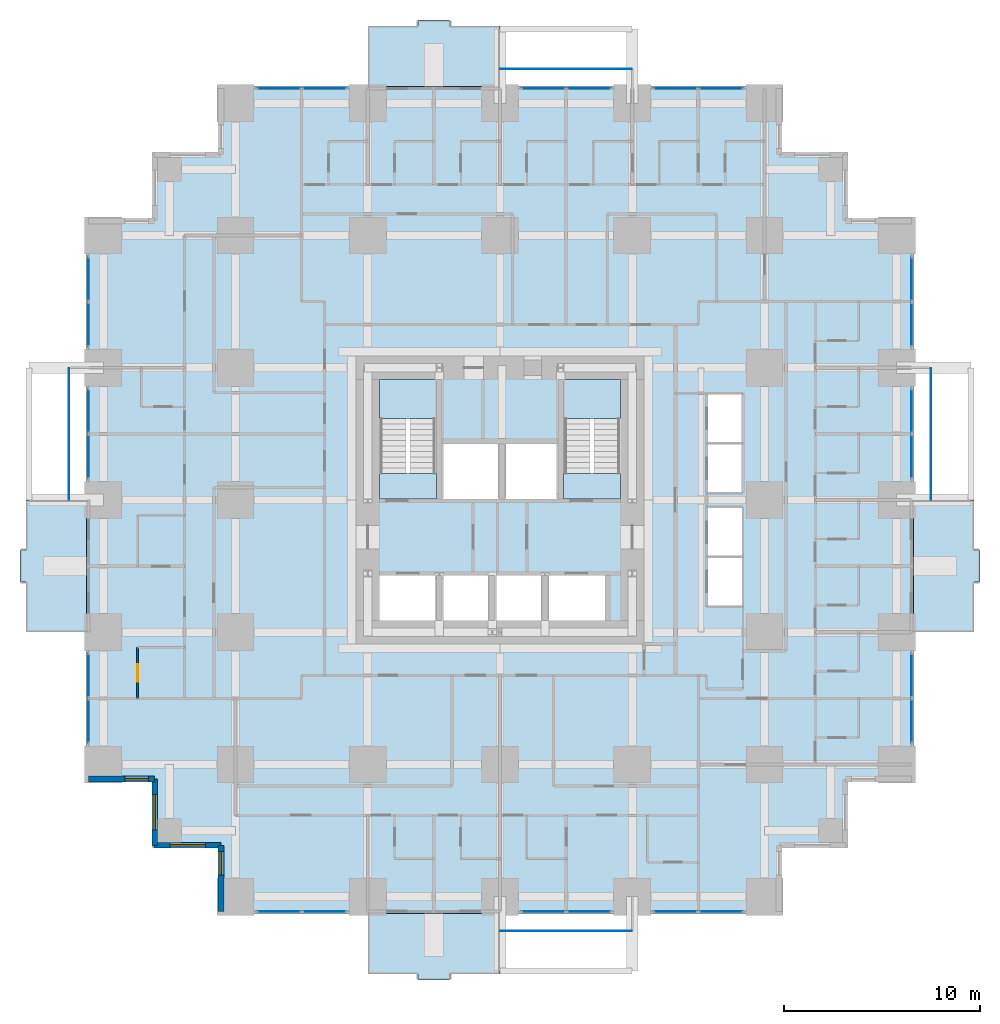
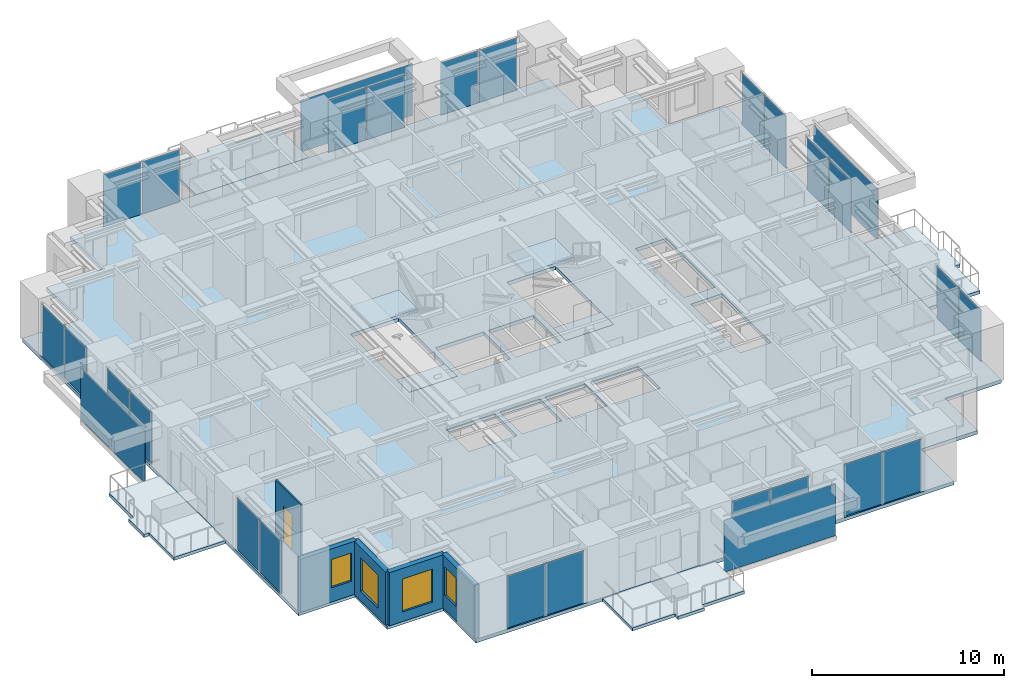
# One storey, part 7 of 15: 28 plates, 9 slabs, 5 walls, 4 windows, 1 door, 5 openings, 14 elements without a shape of their own.
"""IFC4 building model written with IfcOpenShell, lengths in metres."""

from ifc_helpers import new_model, si_unit, direction, frame, frame_2d, origin, origin_2d, place, context, subcontext, project, spatial, polyline, rectangle, outline, extrude, material, layer, layer_set, type_object, element, fill, aggregate, save


model = new_model("IFC4")

# Units and contexts
model_context = context("Model", 3, precision=1e-05, world=origin(), true_north=direction((0.0, 1.0)))
body_context = subcontext(model_context, "Body", "Model", "MODEL_VIEW")
ifc_project = project(units=[si_unit("LENGTHUNIT", "METRE"), si_unit("AREAUNIT", "SQUARE_METRE"), si_unit("VOLUMEUNIT", "CUBIC_METRE"), si_unit("PLANEANGLEUNIT", "RADIAN"), si_unit("MASSUNIT", "GRAM", prefix="KILO")], contexts=[model_context])

# Site, building, storey
site_placement = place(None, origin())
site = spatial("IfcSite", under=ifc_project, at=site_placement, CompositionType="ELEMENT")
building_placement = place(site_placement, origin())
building = spatial("IfcBuilding", under=site, at=building_placement, Name="Nyansa Garden Tower", CompositionType="ELEMENT")
storey_placement = place(building_placement, frame((0.0, 0.0, 32.39990234375)))
storey = spatial("IfcBuildingStorey", under=building, at=storey_placement, Name="L08", CompositionType="ELEMENT", Elevation=32.39990234375)

# Slabs
ifc_material_1 = material(Name="Concrete C40/50", Category="concrete")
ifc_layer_1 = layer(ifc_material_1, 0.199951171875)
ifc_layer_set_1 = layer_set([ifc_layer_1], Name="Balcony slab BS200")
slab_type_1 = type_object("IfcSlabType", Name="Balcony slab BS200", PredefinedType="FLOOR", material=ifc_layer_set_1)
slab_1_placement = place(storey_placement, frame((0.0, 0.0, -0.239990234375)))
element("IfcSlab", 1, at=slab_1_placement, inside=storey, type_object=slab_type_1, Name="Balcony L08 S", PredefinedType="FLOOR", context=body_context, shape_type="SweptSolid", body=[
    extrude(outline(polyline([(13.5, -0.85009765625), (20.25, -0.85009765625), (20.25, -3.949951171875), (17.675048828125, -3.949951171875), (17.675048828125, -4.25), (16.074951171875, -4.25), (16.074951171875, -3.949951171875), (13.5, -3.949951171875), (13.5, -0.85009765625)])), origin(), (0.0, 0.0, 1.0), 0.2001953125),
])
slab_2_placement = place(storey_placement, frame((0.0, 0.0, -0.239990234375)))
element("IfcSlab", 2, at=slab_2_placement, inside=storey, type_object=slab_type_1, Name="Balcony L08 E", PredefinedType="FLOOR", context=body_context, shape_type="SweptSolid", body=[
    extrude(outline(polyline([(41.35009765625, 13.5), (41.35009765625, 20.25), (44.449951171875, 20.25), (44.449951171875, 17.675048828125), (44.75, 17.675048828125), (44.75, 16.074951171875), (44.449951171875, 16.074951171875), (44.449951171875, 13.5), (41.35009765625, 13.5)])), origin(), (0.0, 0.0, 1.0), 0.2001953125),
])
slab_3_placement = place(storey_placement, frame((0.0, 0.0, -0.239990234375)))
element("IfcSlab", 3, at=slab_3_placement, inside=storey, type_object=slab_type_1, Name="Balcony L08 N", PredefinedType="FLOOR", context=body_context, shape_type="SweptSolid", body=[
    extrude(outline(polyline([(13.5, 41.35009765625), (20.25, 41.35009765625), (20.25, 44.449951171875), (17.675048828125, 44.449951171875), (17.675048828125, 44.75), (16.074951171875, 44.75), (16.074951171875, 44.449951171875), (13.5, 44.449951171875), (13.5, 41.35009765625)])), origin(), (0.0, 0.0, 1.0), 0.2001953125),
])
slab_4_placement = place(storey_placement, frame((0.0, 0.0, -0.239990234375)))
element("IfcSlab", 4, at=slab_4_placement, inside=storey, type_object=slab_type_1, Name="Balcony L08 W", PredefinedType="FLOOR", context=body_context, shape_type="SweptSolid", body=[
    extrude(outline(polyline([(-0.85009765625, 13.5), (-0.85009765625, 20.25), (-3.949951171875, 20.25), (-3.949951171875, 17.675048828125), (-4.25, 17.675048828125), (-4.25, 16.074951171875), (-3.949951171875, 16.074951171875), (-3.949951171875, 13.5), (-0.85009765625, 13.5)])), origin(), (0.0, 0.0, 1.0), 0.2001953125),
])

# Curtain wall, plates
ifc_material_2 = material(Name="Black anodised aluminium, dark tinted double glazing", Category="aluminium")
curtain_wall_type = type_object("IfcCurtainWallType", Name="Inner skin curtain wall ISW-A", PredefinedType="USERDEFINED", material=ifc_material_2)
curtain_wall_1_placement = place(storey_placement, origin())
curtain_wall_1 = element("IfcCurtainWall", 5, at=curtain_wall_1_placement, inside=storey, type_object=curtain_wall_type, Name="Inner skin curtain wall L08 E", ObjectType="UNITISED CURTAIN WALL", PredefinedType="USERDEFINED")
ifc_material_3 = material(Name="Dark tinted laminated double glazing", Category="glass")
ifc_layer_2 = layer(ifc_material_3, 0.031982421875)
ifc_layer_set_2 = layer_set([ifc_layer_2], Name="Dark tinted vision panel VP-A")
plate_type_1 = type_object("IfcPlateType", Name="Dark tinted vision panel VP-A", PredefinedType="CURTAIN_PANEL", material=ifc_layer_set_2)
plate_1_placement = place(storey_placement, frame((41.25, 8.96240234375, 0.0), z_axis=(0.0, 0.0, 1.0), x_axis=(0.0, 1.0, 0.0)))
plate_1 = element("IfcPlate", 6, at=plate_1_placement, type_object=plate_type_1, Name="ISW-A panel 1", PredefinedType="CURTAIN_PANEL", context=body_context, shape_type="SweptSolid", body=[
    extrude(rectangle(XDim=2.260009765625, YDim=0.031982421875, at=origin_2d()), origin(), (0.0, 0.0, 1.0), 3.31005859375),
])
plate_2_placement = place(storey_placement, frame((41.25, 11.28759765625, 0.0), z_axis=(0.0, 0.0, 1.0), x_axis=(0.0, 1.0, 0.0)))
plate_2 = element("IfcPlate", 7, at=plate_2_placement, type_object=plate_type_1, Name="ISW-A panel 2", PredefinedType="CURTAIN_PANEL", context=body_context, shape_type="SweptSolid", body=[
    extrude(rectangle(XDim=2.260009765625, YDim=0.031982421875, at=origin_2d()), origin(), (0.0, 0.0, 1.0), 3.31005859375),
])
aggregate(curtain_wall_1, [plate_1, plate_2])

curtain_wall_2_placement = place(storey_placement, origin())
curtain_wall_2 = element("IfcCurtainWall", 8, at=curtain_wall_2_placement, inside=storey, type_object=curtain_wall_type, Name="Inner skin curtain wall L08 E", ObjectType="UNITISED CURTAIN WALL", PredefinedType="USERDEFINED")
plate_3_placement = place(storey_placement, frame((41.25, 22.46240234375, 0.0), z_axis=(0.0, 0.0, 1.0), x_axis=(0.0, 1.0, 0.0)))
plate_3 = element("IfcPlate", 9, at=plate_3_placement, type_object=plate_type_1, Name="ISW-A panel 1", PredefinedType="CURTAIN_PANEL", context=body_context, shape_type="SweptSolid", body=[
    extrude(rectangle(XDim=2.260009765625, YDim=0.031982421875, at=origin_2d()), origin(), (0.0, 0.0, 1.0), 3.31005859375),
])
plate_4_placement = place(storey_placement, frame((41.25, 24.78759765625, 0.0), z_axis=(0.0, 0.0, 1.0), x_axis=(0.0, 1.0, 0.0)))
plate_4 = element("IfcPlate", 10, at=plate_4_placement, type_object=plate_type_1, Name="ISW-A panel 2", PredefinedType="CURTAIN_PANEL", context=body_context, shape_type="SweptSolid", body=[
    extrude(rectangle(XDim=2.260009765625, YDim=0.031982421875, at=origin_2d()), origin(), (0.0, 0.0, 1.0), 3.31005859375),
])
aggregate(curtain_wall_2, [plate_3, plate_4])

curtain_wall_3_placement = place(storey_placement, origin())
curtain_wall_3 = element("IfcCurtainWall", 11, at=curtain_wall_3_placement, inside=storey, type_object=curtain_wall_type, Name="Inner skin curtain wall L08 E", ObjectType="UNITISED CURTAIN WALL", PredefinedType="USERDEFINED")
plate_5_placement = place(storey_placement, frame((41.25, 29.21240234375, 0.0), z_axis=(0.0, 0.0, 1.0), x_axis=(0.0, 1.0, 0.0)))
plate_5 = element("IfcPlate", 12, at=plate_5_placement, type_object=plate_type_1, Name="ISW-A panel 1", PredefinedType="CURTAIN_PANEL", context=body_context, shape_type="SweptSolid", body=[
    extrude(rectangle(XDim=2.260009765625, YDim=0.031982421875, at=origin_2d()), origin(), (0.0, 0.0, 1.0), 3.31005859375),
])
plate_6_placement = place(storey_placement, frame((41.25, 31.53759765625, 0.0), z_axis=(0.0, 0.0, 1.0), x_axis=(0.0, 1.0, 0.0)))
plate_6 = element("IfcPlate", 13, at=plate_6_placement, type_object=plate_type_1, Name="ISW-A panel 2", PredefinedType="CURTAIN_PANEL", context=body_context, shape_type="SweptSolid", body=[
    extrude(rectangle(XDim=2.260009765625, YDim=0.031982421875, at=origin_2d()), origin(), (0.0, 0.0, 1.0), 3.31005859375),
])
aggregate(curtain_wall_3, [plate_5, plate_6])

curtain_wall_4_placement = place(storey_placement, origin())
curtain_wall_4 = element("IfcCurtainWall", 14, at=curtain_wall_4_placement, inside=storey, type_object=curtain_wall_type, Name="Inner skin curtain wall L08 N", ObjectType="UNITISED CURTAIN WALL", PredefinedType="USERDEFINED")
plate_7_placement = place(storey_placement, frame((11.28759765625, 41.25, 0.0), z_axis=(0.0, 0.0, 1.0), x_axis=(-1.0, 0.0, 0.0)))
plate_7 = element("IfcPlate", 15, at=plate_7_placement, type_object=plate_type_1, Name="ISW-A panel 1", PredefinedType="CURTAIN_PANEL", context=body_context, shape_type="SweptSolid", body=[
    extrude(rectangle(XDim=2.260009765625, YDim=0.031982421875, at=origin_2d()), origin(), (0.0, 0.0, 1.0), 3.31005859375),
])
plate_8_placement = place(storey_placement, frame((8.96240234375, 41.25, 0.0), z_axis=(0.0, 0.0, 1.0), x_axis=(-1.0, 0.0, 0.0)))
plate_8 = element("IfcPlate", 16, at=plate_8_placement, type_object=plate_type_1, Name="ISW-A panel 2", PredefinedType="CURTAIN_PANEL", context=body_context, shape_type="SweptSolid", body=[
    extrude(rectangle(XDim=2.260009765625, YDim=0.031982421875, at=origin_2d()), origin(), (0.0, 0.0, 1.0), 3.31005859375),
])
aggregate(curtain_wall_4, [plate_7, plate_8])

curtain_wall_5_placement = place(storey_placement, origin())
curtain_wall_5 = element("IfcCurtainWall", 17, at=curtain_wall_5_placement, inside=storey, type_object=curtain_wall_type, Name="Inner skin curtain wall L08 N", ObjectType="UNITISED CURTAIN WALL", PredefinedType="USERDEFINED")
plate_9_placement = place(storey_placement, frame((31.53759765625, 41.25, 0.0), z_axis=(0.0, 0.0, 1.0), x_axis=(-1.0, 0.0, 0.0)))
plate_9 = element("IfcPlate", 18, at=plate_9_placement, type_object=plate_type_1, Name="ISW-A panel 1", PredefinedType="CURTAIN_PANEL", context=body_context, shape_type="SweptSolid", body=[
    extrude(rectangle(XDim=2.260009765625, YDim=0.031982421875, at=origin_2d()), origin(), (0.0, 0.0, 1.0), 3.31005859375),
])
plate_10_placement = place(storey_placement, frame((29.21240234375, 41.25, 0.0), z_axis=(0.0, 0.0, 1.0), x_axis=(-1.0, 0.0, 0.0)))
plate_10 = element("IfcPlate", 19, at=plate_10_placement, type_object=plate_type_1, Name="ISW-A panel 2", PredefinedType="CURTAIN_PANEL", context=body_context, shape_type="SweptSolid", body=[
    extrude(rectangle(XDim=2.260009765625, YDim=0.031982421875, at=origin_2d()), origin(), (0.0, 0.0, 1.0), 3.31005859375),
])
aggregate(curtain_wall_5, [plate_9, plate_10])

curtain_wall_6_placement = place(storey_placement, origin())
curtain_wall_6 = element("IfcCurtainWall", 20, at=curtain_wall_6_placement, inside=storey, type_object=curtain_wall_type, Name="Inner skin curtain wall L08 N", ObjectType="UNITISED CURTAIN WALL", PredefinedType="USERDEFINED")
plate_11_placement = place(storey_placement, frame((24.78759765625, 41.25, 0.0), z_axis=(0.0, 0.0, 1.0), x_axis=(-1.0, 0.0, 0.0)))
plate_11 = element("IfcPlate", 21, at=plate_11_placement, type_object=plate_type_1, Name="ISW-A panel 1", PredefinedType="CURTAIN_PANEL", context=body_context, shape_type="SweptSolid", body=[
    extrude(rectangle(XDim=2.260009765625, YDim=0.031982421875, at=origin_2d()), origin(), (0.0, 0.0, 1.0), 3.31005859375),
])
plate_12_placement = place(storey_placement, frame((22.46240234375, 41.25, 0.0), z_axis=(0.0, 0.0, 1.0), x_axis=(-1.0, 0.0, 0.0)))
plate_12 = element("IfcPlate", 22, at=plate_12_placement, type_object=plate_type_1, Name="ISW-A panel 2", PredefinedType="CURTAIN_PANEL", context=body_context, shape_type="SweptSolid", body=[
    extrude(rectangle(XDim=2.260009765625, YDim=0.031982421875, at=origin_2d()), origin(), (0.0, 0.0, 1.0), 3.31005859375),
])
aggregate(curtain_wall_6, [plate_11, plate_12])

curtain_wall_7_placement = place(storey_placement, origin())
curtain_wall_7 = element("IfcCurtainWall", 23, at=curtain_wall_7_placement, inside=storey, type_object=curtain_wall_type, Name="Inner skin curtain wall L08 W", ObjectType="UNITISED CURTAIN WALL", PredefinedType="USERDEFINED")
plate_13_placement = place(storey_placement, frame((-0.75, 11.28759765625, 0.0), z_axis=(0.0, 0.0, 1.0), x_axis=(0.0, -1.0, 0.0)))
plate_13 = element("IfcPlate", 24, at=plate_13_placement, type_object=plate_type_1, Name="ISW-A panel 1", PredefinedType="CURTAIN_PANEL", context=body_context, shape_type="SweptSolid", body=[
    extrude(rectangle(XDim=2.260009765625, YDim=0.031982421875, at=origin_2d()), origin(), (0.0, 0.0, 1.0), 3.31005859375),
])
plate_14_placement = place(storey_placement, frame((-0.75, 8.96240234375, 0.0), z_axis=(0.0, 0.0, 1.0), x_axis=(0.0, -1.0, 0.0)))
plate_14 = element("IfcPlate", 25, at=plate_14_placement, type_object=plate_type_1, Name="ISW-A panel 2", PredefinedType="CURTAIN_PANEL", context=body_context, shape_type="SweptSolid", body=[
    extrude(rectangle(XDim=2.260009765625, YDim=0.031982421875, at=origin_2d()), origin(), (0.0, 0.0, 1.0), 3.31005859375),
])
aggregate(curtain_wall_7, [plate_13, plate_14])

curtain_wall_8_placement = place(storey_placement, origin())
curtain_wall_8 = element("IfcCurtainWall", 26, at=curtain_wall_8_placement, inside=storey, type_object=curtain_wall_type, Name="Inner skin curtain wall L08 W", ObjectType="UNITISED CURTAIN WALL", PredefinedType="USERDEFINED")
plate_15_placement = place(storey_placement, frame((-0.75, 31.53759765625, 0.0), z_axis=(0.0, 0.0, 1.0), x_axis=(0.0, -1.0, 0.0)))
plate_15 = element("IfcPlate", 27, at=plate_15_placement, type_object=plate_type_1, Name="ISW-A panel 1", PredefinedType="CURTAIN_PANEL", context=body_context, shape_type="SweptSolid", body=[
    extrude(rectangle(XDim=2.260009765625, YDim=0.031982421875, at=origin_2d()), origin(), (0.0, 0.0, 1.0), 3.31005859375),
])
plate_16_placement = place(storey_placement, frame((-0.75, 29.21240234375, 0.0), z_axis=(0.0, 0.0, 1.0), x_axis=(0.0, -1.0, 0.0)))
plate_16 = element("IfcPlate", 28, at=plate_16_placement, type_object=plate_type_1, Name="ISW-A panel 2", PredefinedType="CURTAIN_PANEL", context=body_context, shape_type="SweptSolid", body=[
    extrude(rectangle(XDim=2.260009765625, YDim=0.031982421875, at=origin_2d()), origin(), (0.0, 0.0, 1.0), 3.31005859375),
])
aggregate(curtain_wall_8, [plate_15, plate_16])

curtain_wall_9_placement = place(storey_placement, origin())
curtain_wall_9 = element("IfcCurtainWall", 29, at=curtain_wall_9_placement, inside=storey, type_object=curtain_wall_type, Name="Inner skin curtain wall L08 W", ObjectType="UNITISED CURTAIN WALL", PredefinedType="USERDEFINED")
plate_17_placement = place(storey_placement, frame((-0.75, 24.78759765625, 0.0), z_axis=(0.0, 0.0, 1.0), x_axis=(0.0, -1.0, 0.0)))
plate_17 = element("IfcPlate", 30, at=plate_17_placement, type_object=plate_type_1, Name="ISW-A panel 1", PredefinedType="CURTAIN_PANEL", context=body_context, shape_type="SweptSolid", body=[
    extrude(rectangle(XDim=2.260009765625, YDim=0.031982421875, at=origin_2d()), origin(), (0.0, 0.0, 1.0), 3.31005859375),
])
plate_18_placement = place(storey_placement, frame((-0.75, 22.46240234375, 0.0), z_axis=(0.0, 0.0, 1.0), x_axis=(0.0, -1.0, 0.0)))
plate_18 = element("IfcPlate", 31, at=plate_18_placement, type_object=plate_type_1, Name="ISW-A panel 2", PredefinedType="CURTAIN_PANEL", context=body_context, shape_type="SweptSolid", body=[
    extrude(rectangle(XDim=2.260009765625, YDim=0.031982421875, at=origin_2d()), origin(), (0.0, 0.0, 1.0), 3.31005859375),
])
aggregate(curtain_wall_9, [plate_17, plate_18])

curtain_wall_10_placement = place(storey_placement, origin())
curtain_wall_10 = element("IfcCurtainWall", 32, at=curtain_wall_10_placement, inside=storey, type_object=curtain_wall_type, Name="Inner skin curtain wall L08 S", ObjectType="UNITISED CURTAIN WALL", PredefinedType="USERDEFINED")
plate_19_placement = place(storey_placement, frame((8.96240234375, -0.75, 0.0), z_axis=(0.0, 0.0, 1.0), x_axis=(1.0, 0.0, 0.0)))
plate_19 = element("IfcPlate", 33, at=plate_19_placement, type_object=plate_type_1, Name="ISW-A panel 1", PredefinedType="CURTAIN_PANEL", context=body_context, shape_type="SweptSolid", body=[
    extrude(rectangle(XDim=2.260009765625, YDim=0.031982421875, at=origin_2d()), origin(), (0.0, 0.0, 1.0), 3.31005859375),
])
plate_20_placement = place(storey_placement, frame((11.28759765625, -0.75, 0.0), z_axis=(0.0, 0.0, 1.0), x_axis=(1.0, 0.0, 0.0)))
plate_20 = element("IfcPlate", 34, at=plate_20_placement, type_object=plate_type_1, Name="ISW-A panel 2", PredefinedType="CURTAIN_PANEL", context=body_context, shape_type="SweptSolid", body=[
    extrude(rectangle(XDim=2.260009765625, YDim=0.031982421875, at=origin_2d()), origin(), (0.0, 0.0, 1.0), 3.31005859375),
])
aggregate(curtain_wall_10, [plate_19, plate_20])

curtain_wall_11_placement = place(storey_placement, origin())
curtain_wall_11 = element("IfcCurtainWall", 35, at=curtain_wall_11_placement, inside=storey, type_object=curtain_wall_type, Name="Inner skin curtain wall L08 S", ObjectType="UNITISED CURTAIN WALL", PredefinedType="USERDEFINED")
plate_21_placement = place(storey_placement, frame((22.46240234375, -0.75, 0.0), z_axis=(0.0, 0.0, 1.0), x_axis=(1.0, 0.0, 0.0)))
plate_21 = element("IfcPlate", 36, at=plate_21_placement, type_object=plate_type_1, Name="ISW-A panel 1", PredefinedType="CURTAIN_PANEL", context=body_context, shape_type="SweptSolid", body=[
    extrude(rectangle(XDim=2.260009765625, YDim=0.031982421875, at=origin_2d()), origin(), (0.0, 0.0, 1.0), 3.31005859375),
])
plate_22_placement = place(storey_placement, frame((24.78759765625, -0.75, 0.0), z_axis=(0.0, 0.0, 1.0), x_axis=(1.0, 0.0, 0.0)))
plate_22 = element("IfcPlate", 37, at=plate_22_placement, type_object=plate_type_1, Name="ISW-A panel 2", PredefinedType="CURTAIN_PANEL", context=body_context, shape_type="SweptSolid", body=[
    extrude(rectangle(XDim=2.260009765625, YDim=0.031982421875, at=origin_2d()), origin(), (0.0, 0.0, 1.0), 3.31005859375),
])
aggregate(curtain_wall_11, [plate_21, plate_22])

curtain_wall_12_placement = place(storey_placement, origin())
curtain_wall_12 = element("IfcCurtainWall", 38, at=curtain_wall_12_placement, inside=storey, type_object=curtain_wall_type, Name="Inner skin curtain wall L08 S", ObjectType="UNITISED CURTAIN WALL", PredefinedType="USERDEFINED")
plate_23_placement = place(storey_placement, frame((29.21240234375, -0.75, 0.0), z_axis=(0.0, 0.0, 1.0), x_axis=(1.0, 0.0, 0.0)))
plate_23 = element("IfcPlate", 39, at=plate_23_placement, type_object=plate_type_1, Name="ISW-A panel 1", PredefinedType="CURTAIN_PANEL", context=body_context, shape_type="SweptSolid", body=[
    extrude(rectangle(XDim=2.260009765625, YDim=0.031982421875, at=origin_2d()), origin(), (0.0, 0.0, 1.0), 3.31005859375),
])
plate_24_placement = place(storey_placement, frame((31.53759765625, -0.75, 0.0), z_axis=(0.0, 0.0, 1.0), x_axis=(1.0, 0.0, 0.0)))
plate_24 = element("IfcPlate", 40, at=plate_24_placement, type_object=plate_type_1, Name="ISW-A panel 2", PredefinedType="CURTAIN_PANEL", context=body_context, shape_type="SweptSolid", body=[
    extrude(rectangle(XDim=2.260009765625, YDim=0.031982421875, at=origin_2d()), origin(), (0.0, 0.0, 1.0), 3.31005859375),
])
aggregate(curtain_wall_12, [plate_23, plate_24])

# Slab
ifc_material_4 = material(Name="Concrete C40/50", Category="concrete")
ifc_layer_3 = layer(ifc_material_4, 0.22509765625)
ifc_layer_set_3 = layer_set([ifc_layer_3], Name="Floor slab FS225")
slab_type_2 = type_object("IfcSlabType", Name="Floor slab FS225", PredefinedType="FLOOR", material=ifc_layer_set_3)
slab_5_placement = place(storey_placement, frame((0.0, 0.0, -0.224853515625)))
element("IfcSlab", 41, at=slab_5_placement, inside=storey, type_object=slab_type_2, Name="Floor slab L08", PredefinedType="FLOOR", context=body_context, shape_type="SweptSolid", body=[
    extrude(outline(polyline([(41.35009765625, 5.89990234375), (37.97509765625, 5.89990234375), (37.97509765625, 2.52490234375), (34.60009765625, 2.52490234375), (34.60009765625, -0.85009765625), (5.89990234375, -0.85009765625), (5.89990234375, 2.52490234375), (2.52490234375, 2.52490234375), (2.52490234375, 5.89990234375), (-0.85009765625, 5.89990234375), (-0.85009765625, 34.60009765625), (2.52490234375, 34.60009765625), (2.52490234375, 37.97509765625), (5.89990234375, 37.97509765625), (5.89990234375, 41.35009765625), (34.60009765625, 41.35009765625), (34.60009765625, 37.97509765625), (37.97509765625, 37.97509765625), (37.97509765625, 34.60009765625), (41.35009765625, 34.60009765625), (41.35009765625, 5.89990234375)]), holes=[polyline([(14.10009765625, 14.10009765625), (17.0, 14.10009765625), (17.0, 16.39990234375), (14.10009765625, 16.39990234375), (14.10009765625, 14.10009765625)]), polyline([(17.300048828125, 14.10009765625), (19.699951171875, 14.10009765625), (19.699951171875, 16.39990234375), (17.300048828125, 16.39990234375), (17.300048828125, 14.10009765625)]), polyline([(20.0, 14.10009765625), (22.39990234375, 14.10009765625), (22.39990234375, 16.39990234375), (20.0, 16.39990234375), (20.0, 14.10009765625)]), polyline([(22.699951171875, 14.10009765625), (25.60009765625, 14.10009765625), (25.60009765625, 16.39990234375), (22.699951171875, 16.39990234375), (22.699951171875, 14.10009765625)]), polyline([(17.300048828125, 20.300048828125), (20.199951171875, 20.300048828125), (20.199951171875, 23.10009765625), (17.300048828125, 23.10009765625), (17.300048828125, 20.300048828125)]), polyline([(20.5, 20.300048828125), (23.199951171875, 20.300048828125), (23.199951171875, 23.10009765625), (20.5, 23.10009765625), (20.5, 20.300048828125)]), polyline([(30.800048828125, 14.800048828125), (32.64990234375, 14.800048828125), (32.64990234375, 19.89990234375), (30.800048828125, 19.89990234375), (30.800048828125, 14.800048828125)]), polyline([(30.800048828125, 20.60009765625), (32.64990234375, 20.60009765625), (32.64990234375, 25.699951171875), (30.800048828125, 25.699951171875), (30.800048828125, 20.60009765625)]), polyline([(14.10009765625, 20.300048828125), (17.0, 20.300048828125), (17.0, 26.39990234375), (14.10009765625, 26.39990234375), (14.10009765625, 20.300048828125)]), polyline([(23.5, 20.300048828125), (26.39990234375, 20.300048828125), (26.39990234375, 26.39990234375), (23.5, 26.39990234375), (23.5, 20.300048828125)])]), origin(), (0.0, 0.0, 1.0), 0.224853515625),
])

# Plates
ifc_material_5 = material(Name="Dark tinted laminated glass", Category="glass")
ifc_layer_4 = layer(ifc_material_5, 0.02392578125)
ifc_layer_set_4 = layer_set([ifc_layer_4], Name="Outer skin glass panel OS1")
plate_type_2 = type_object("IfcPlateType", Name="Outer skin glass panel OS1", PredefinedType="USERDEFINED", material=ifc_layer_set_4)
for number, where, z_axis, x_axis, name in (
    (42, (42.25, 23.625, -0.22509765625), (0.0, 0.0, 1.0), (0.0, 1.0, 0.0), "Outer skin glass panel L08"),
    (43, (23.625, 42.25, -0.22509765625), (0.0, 0.0, 1.0), (1.0, 0.0, 0.0), "Outer skin glass panel L08"),
    (44, (-1.75, 23.625, -0.22509765625), (0.0, 0.0, 1.0), (0.0, 1.0, 0.0), "Outer skin glass panel L08"),
    (45, (23.625, -1.75, -0.22509765625), (0.0, 0.0, 1.0), (1.0, 0.0, 0.0), "Outer skin glass panel L08"),
):
    element("IfcPlate", number, at=place(storey_placement, frame(where, z_axis=z_axis, x_axis=x_axis)), inside=storey, type_object=plate_type_2, Name=name, ObjectType="OUTER SKIN GLASS", PredefinedType="USERDEFINED", context=body_context, shape_type="SweptSolid", body=[
        extrude(rectangle(XDim=6.7099609375, YDim=0.02392578125, at=origin_2d()), origin(), (0.0, 0.0, 1.0), 3.300048828125),
    ])

# Stair, slabs
ifc_material_6 = material(Name="Precast concrete C40/50", Category="concrete")
stair_type_1 = type_object("IfcStairType", Name="Stair S1 164x280", PredefinedType="HALF_TURN_STAIR", material=ifc_material_6)
stair_1_placement = place(storey_placement, origin())
stair_1 = element("IfcStair", 46, at=stair_1_placement, inside=storey, type_object=stair_type_1, Name="Stair S1 L08", PredefinedType="HALF_TURN_STAIR")
ifc_material_7 = material(Name="Concrete C40/50", Category="concrete")
ifc_layer_5 = layer(ifc_material_7, 0.199951171875)
ifc_layer_set_5 = layer_set([ifc_layer_5], Name="Stair landing SL200")
slab_type_3 = type_object("IfcSlabType", Name="Stair landing SL200", PredefinedType="LANDING", material=ifc_layer_set_5)
slab_6_placement = place(storey_placement, frame((0.0, 0.0, -0.199951171875)))
slab_6 = element("IfcSlab", 47, at=slab_6_placement, type_object=slab_type_3, Name="S1 landing 1", PredefinedType="LANDING", context=body_context, shape_type="SweptSolid", body=[
    extrude(outline(polyline([(14.10009765625, 20.300048828125), (17.0, 20.300048828125), (17.0, 21.60009765625), (14.10009765625, 21.60009765625), (14.10009765625, 20.300048828125)])), origin(), (0.0, 0.0, 1.0), 0.199951171875),
])
slab_7_placement = place(storey_placement, frame((0.0, 0.0, 1.60009765625)))
slab_7 = element("IfcSlab", 48, at=slab_7_placement, type_object=slab_type_3, Name="S1 landing 2", PredefinedType="LANDING", context=body_context, shape_type="SweptSolid", body=[
    extrude(outline(polyline([(14.10009765625, 24.39990234375), (17.0, 24.39990234375), (17.0, 26.39990234375), (14.10009765625, 26.39990234375), (14.10009765625, 24.39990234375)])), origin(), (0.0, 0.0, 1.0), 0.199951171875),
])
aggregate(stair_1, [slab_6, slab_7])

ifc_material_8 = material(Name="Precast concrete C40/50", Category="concrete")
stair_type_2 = type_object("IfcStairType", Name="Stair S2 164x280", PredefinedType="HALF_TURN_STAIR", material=ifc_material_8)
stair_2_placement = place(storey_placement, origin())
stair_2 = element("IfcStair", 49, at=stair_2_placement, inside=storey, type_object=stair_type_2, Name="Stair S2 L08", PredefinedType="HALF_TURN_STAIR")
slab_8_placement = place(storey_placement, frame((0.0, 0.0, -0.199951171875)))
slab_8 = element("IfcSlab", 50, at=slab_8_placement, type_object=slab_type_3, Name="S2 landing 1", PredefinedType="LANDING", context=body_context, shape_type="SweptSolid", body=[
    extrude(outline(polyline([(23.5, 20.300048828125), (26.39990234375, 20.300048828125), (26.39990234375, 21.60009765625), (23.5, 21.60009765625), (23.5, 20.300048828125)])), origin(), (0.0, 0.0, 1.0), 0.199951171875),
])
slab_9_placement = place(storey_placement, frame((0.0, 0.0, 1.60009765625)))
slab_9 = element("IfcSlab", 51, at=slab_9_placement, type_object=slab_type_3, Name="S2 landing 2", PredefinedType="LANDING", context=body_context, shape_type="SweptSolid", body=[
    extrude(outline(polyline([(23.5, 24.39990234375), (26.39990234375, 24.39990234375), (26.39990234375, 26.39990234375), (23.5, 26.39990234375), (23.5, 24.39990234375)])), origin(), (0.0, 0.0, 1.0), 0.199951171875),
])
aggregate(stair_2, [slab_8, slab_9])

# Wall, opening, window
ifc_material_9 = material(Name="Turquoise glazed tile on concrete blockwork", Category="masonry")
ifc_layer_6 = layer(ifc_material_9, 0.300048828125)
ifc_layer_set_6 = layer_set([ifc_layer_6], Name="Tiled corner wall TW300")
wall_type_1 = type_object("IfcWallType", Name="Tiled corner wall TW300", PredefinedType="SOLIDWALL", material=ifc_layer_set_6)
wall_1_placement = place(storey_placement, frame((-0.75, 6.0, 0.0), z_axis=(0.0, 0.0, 1.0), x_axis=(1.0, 0.0, 0.0)))
wall_1 = element("IfcWall", 52, at=wall_1_placement, inside=storey, type_object=wall_type_1, Name="Tiled corner wall L08", PredefinedType="SOLIDWALL", context=body_context, shape_type="SweptSolid", body=[
    extrude(rectangle(XDim=3.375, YDim=0.300048828125, at=frame_2d((1.6875, 0.0))), origin(), (0.0, 0.0, 1.0), 3.375),
])
opening_1_placement = place(wall_1_placement, frame((1.857421875, 0.0, 0.89990234375)))
opening_1 = element("IfcOpeningElement", 53, at=opening_1_placement, cuts=wall_1, Name="Opening W4", PredefinedType="OPENING", context=body_context, shape_type="SweptSolid", body=[
    extrude(rectangle(XDim=1.199951171875, YDim=1.800048828125, at=frame_2d((0.60009765625, 0.89990234375))), frame((0.0, 0.159912109375, 0.0), z_axis=(0.0, -1.0, 0.0), x_axis=(1.0, 0.0, 0.0)), (0.0, 0.0, 1.0), 0.320068359375),
])
ifc_material_10 = material(Name="Black aluminium frame, dark tinted double glazing", Category="aluminium")
window_type_1 = type_object("IfcWindowType", Name="Window W4 1200x1800", PartitioningType="SINGLE_PANEL", PredefinedType="WINDOW", material=ifc_material_10)
window_1_placement = place(opening_1_placement, origin())
window_1 = element("IfcWindow", 54, at=window_1_placement, inside=storey, type_object=window_type_1, Name="Corner window L08", OverallHeight=1.800048828125, OverallWidth=1.199951171875, PartitioningType="SINGLE_PANEL", PredefinedType="WINDOW", context=body_context, shape_type="SweptSolid", body=[
    extrude(rectangle(XDim=1.199951171875, YDim=1.800048828125, at=frame_2d((0.60009765625, 0.89990234375))), frame((0.0, 0.030029296875, 0.0), z_axis=(0.0, -1.0, 0.0), x_axis=(1.0, 0.0, 0.0)), (0.0, 0.0, 1.0), 0.06005859375),
])
fill(opening_1, window_1)

wall_2_placement = place(storey_placement, frame((2.625, 6.0, 0.0), z_axis=(0.0, 0.0, 1.0), x_axis=(0.0, -1.0, 0.0)))
wall_2 = element("IfcWall", 55, at=wall_2_placement, inside=storey, type_object=wall_type_1, Name="Tiled corner wall L08", PredefinedType="SOLIDWALL", context=body_context, shape_type="SweptSolid", body=[
    extrude(rectangle(XDim=3.375, YDim=0.300048828125, at=frame_2d((1.6875, 0.0))), origin(), (0.0, 0.0, 1.0), 3.375),
])
opening_2_placement = place(wall_2_placement, frame((0.78759765625, 0.0, 0.60009765625)))
opening_2 = element("IfcOpeningElement", 56, at=opening_2_placement, cuts=wall_2, Name="Opening W2", PredefinedType="OPENING", context=body_context, shape_type="SweptSolid", body=[
    extrude(rectangle(XDim=1.800048828125, YDim=2.10009765625, at=frame_2d((0.89990234375, 1.050048828125))), frame((0.0, 0.159912109375, 0.0), z_axis=(0.0, -1.0, 0.0), x_axis=(1.0, 0.0, 0.0)), (0.0, 0.0, 1.0), 0.320068359375),
])
ifc_material_11 = material(Name="Black aluminium frame, dark tinted double glazing", Category="aluminium")
window_type_2 = type_object("IfcWindowType", Name="Window W2 1800x2100", PartitioningType="SINGLE_PANEL", PredefinedType="WINDOW", material=ifc_material_11)
window_2_placement = place(opening_2_placement, origin())
window_2 = element("IfcWindow", 57, at=window_2_placement, inside=storey, type_object=window_type_2, Name="Corner window L08", OverallHeight=2.10009765625, OverallWidth=1.800048828125, PartitioningType="SINGLE_PANEL", PredefinedType="WINDOW", context=body_context, shape_type="SweptSolid", body=[
    extrude(rectangle(XDim=1.800048828125, YDim=2.10009765625, at=frame_2d((0.89990234375, 1.050048828125))), frame((0.0, 0.030029296875, 0.0), z_axis=(0.0, -1.0, 0.0), x_axis=(1.0, 0.0, 0.0)), (0.0, 0.0, 1.0), 0.06005859375),
])
fill(opening_2, window_2)

wall_3_placement = place(storey_placement, frame((2.625, 2.625, 0.0), z_axis=(0.0, 0.0, 1.0), x_axis=(1.0, 0.0, 0.0)))
wall_3 = element("IfcWall", 58, at=wall_3_placement, inside=storey, type_object=wall_type_1, Name="Tiled corner wall L08", PredefinedType="SOLIDWALL", context=body_context, shape_type="SweptSolid", body=[
    extrude(rectangle(XDim=3.375, YDim=0.300048828125, at=frame_2d((1.6875, 0.0))), origin(), (0.0, 0.0, 1.0), 3.375),
])
opening_3_placement = place(wall_3_placement, frame((0.78759765625, 0.0, 0.60009765625)))
opening_3 = element("IfcOpeningElement", 59, at=opening_3_placement, cuts=wall_3, Name="Opening W2", PredefinedType="OPENING", context=body_context, shape_type="SweptSolid", body=[
    extrude(rectangle(XDim=1.800048828125, YDim=2.10009765625, at=frame_2d((0.89990234375, 1.050048828125))), frame((0.0, 0.159912109375, 0.0), z_axis=(0.0, -1.0, 0.0), x_axis=(1.0, 0.0, 0.0)), (0.0, 0.0, 1.0), 0.320068359375),
])
window_3_placement = place(opening_3_placement, origin())
window_3 = element("IfcWindow", 60, at=window_3_placement, inside=storey, type_object=window_type_2, Name="Corner window L08", OverallHeight=2.10009765625, OverallWidth=1.800048828125, PartitioningType="SINGLE_PANEL", PredefinedType="WINDOW", context=body_context, shape_type="SweptSolid", body=[
    extrude(rectangle(XDim=1.800048828125, YDim=2.10009765625, at=frame_2d((0.89990234375, 1.050048828125))), frame((0.0, 0.030029296875, 0.0), z_axis=(0.0, -1.0, 0.0), x_axis=(1.0, 0.0, 0.0)), (0.0, 0.0, 1.0), 0.06005859375),
])
fill(opening_3, window_3)

wall_4_placement = place(storey_placement, frame((6.0, 2.625, 0.0), z_axis=(0.0, 0.0, 1.0), x_axis=(0.0, -1.0, 0.0)))
wall_4 = element("IfcWall", 61, at=wall_4_placement, inside=storey, type_object=wall_type_1, Name="Tiled corner wall L08", PredefinedType="SOLIDWALL", context=body_context, shape_type="SweptSolid", body=[
    extrude(rectangle(XDim=3.375, YDim=0.300048828125, at=frame_2d((1.6875, 0.0))), origin(), (0.0, 0.0, 1.0), 3.375),
])
opening_4_placement = place(wall_4_placement, frame((0.3173828125, 0.0, 0.89990234375)))
opening_4 = element("IfcOpeningElement", 62, at=opening_4_placement, cuts=wall_4, Name="Opening W4", PredefinedType="OPENING", context=body_context, shape_type="SweptSolid", body=[
    extrude(rectangle(XDim=1.199951171875, YDim=1.800048828125, at=frame_2d((0.60009765625, 0.89990234375))), frame((0.0, 0.159912109375, 0.0), z_axis=(0.0, -1.0, 0.0), x_axis=(1.0, 0.0, 0.0)), (0.0, 0.0, 1.0), 0.320068359375),
])
window_4_placement = place(opening_4_placement, origin())
window_4 = element("IfcWindow", 63, at=window_4_placement, inside=storey, type_object=window_type_1, Name="Corner window L08", OverallHeight=1.800048828125, OverallWidth=1.199951171875, PartitioningType="SINGLE_PANEL", PredefinedType="WINDOW", context=body_context, shape_type="SweptSolid", body=[
    extrude(rectangle(XDim=1.199951171875, YDim=1.800048828125, at=frame_2d((0.60009765625, 0.89990234375))), frame((0.0, 0.030029296875, 0.0), z_axis=(0.0, -1.0, 0.0), x_axis=(1.0, 0.0, 0.0)), (0.0, 0.0, 1.0), 0.06005859375),
])
fill(opening_4, window_4)

# Wall, opening, door
ifc_material_12 = material(Name="Moisture resistant board on steel studs, tiled", Category="steel")
ifc_layer_7 = layer(ifc_material_12, 0.10009765625)
ifc_layer_set_7 = layer_set([ifc_layer_7], Name="Wet wall PW100")
wall_type_2 = type_object("IfcWallType", Name="Wet wall PW100", PredefinedType="PARTITIONING", material=ifc_layer_set_7)
wall_5_placement = place(storey_placement, frame((1.75, 10.125, 0.0), z_axis=(0.0, 0.0, 1.0), x_axis=(0.0, 1.0, 0.0)))
wall_5 = element("IfcWall", 64, at=wall_5_placement, inside=storey, type_object=wall_type_2, Name="Wet wall", PredefinedType="PARTITIONING", context=body_context, shape_type="SweptSolid", body=[
    extrude(rectangle(XDim=2.60009765625, YDim=0.10009765625, at=frame_2d((1.300048828125, 0.0))), origin(), (0.0, 0.0, 1.0), 3.375),
])
opening_5_placement = place(wall_5_placement, frame((0.85009765625, 0.0, 0.0)))
opening_5 = element("IfcOpeningElement", 65, at=opening_5_placement, cuts=wall_5, Name="Opening D02", PredefinedType="OPENING", context=body_context, shape_type="SweptSolid", body=[
    extrude(rectangle(XDim=0.89990234375, YDim=2.199951171875, at=frame_2d((0.449951171875, 1.10009765625))), frame((0.0, 0.06005859375, 0.0), z_axis=(0.0, -1.0, 0.0), x_axis=(1.0, 0.0, 0.0)), (0.0, 0.0, 1.0), 0.1201171875),
])
ifc_material_13 = material(Name="Timber flush door", Category="wood")
door_type = type_object("IfcDoorType", Name="En-suite door D02 900x2200", OperationType="SINGLE_SWING_RIGHT", PredefinedType="DOOR", material=ifc_material_13)
door_placement = place(opening_5_placement, origin())
door = element("IfcDoor", 66, at=door_placement, inside=storey, type_object=door_type, Name="Door L08-073", OperationType="SINGLE_SWING_RIGHT", OverallHeight=2.199951171875, OverallWidth=0.89990234375, PredefinedType="DOOR", context=body_context, shape_type="SweptSolid", body=[
    extrude(rectangle(XDim=0.89990234375, YDim=2.199951171875, at=frame_2d((0.449951171875, 1.10009765625))), frame((0.0, 0.02490234375, 0.0), z_axis=(0.0, -1.0, 0.0), x_axis=(1.0, 0.0, 0.0)), (0.0, 0.0, 1.0), 0.050048828125),
])
fill(opening_5, door)

save(model, "model.ifc")
